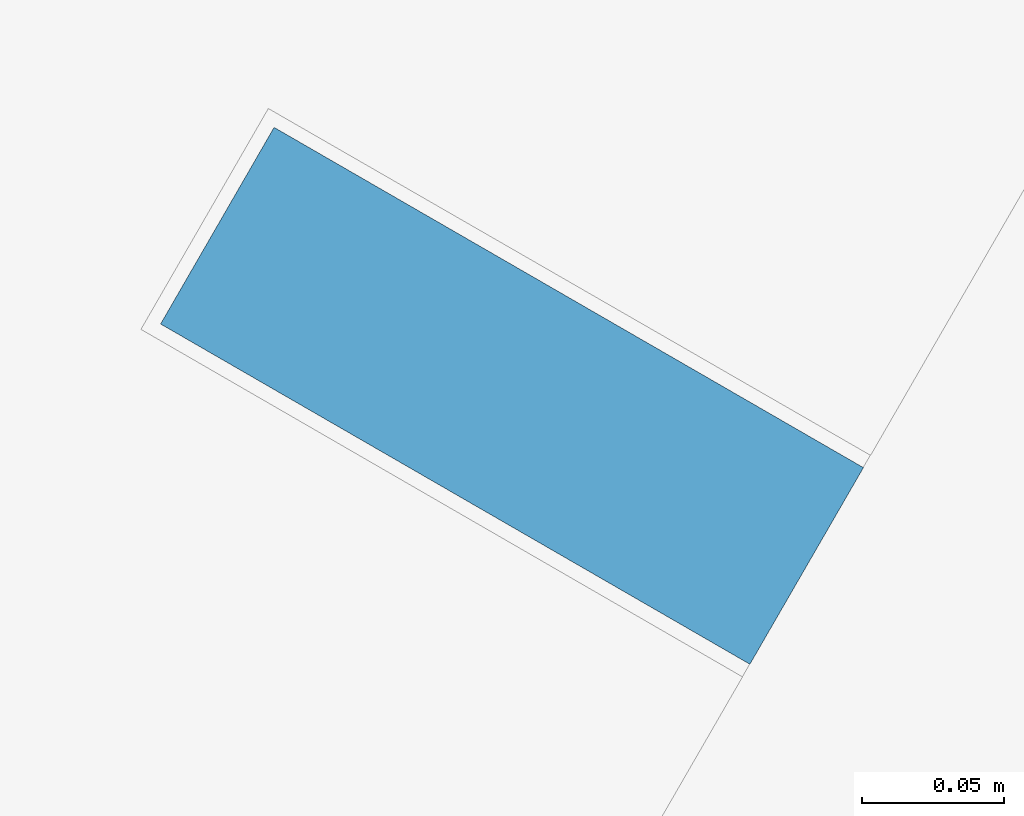
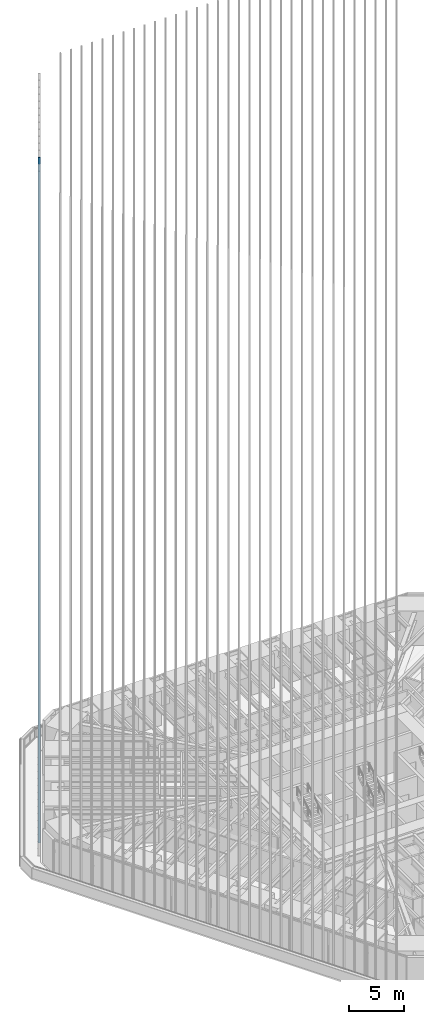
# One storey, part 127 of 238: 1 member, 1 element without a shape of its own.
"""IFC4 building model written with IfcOpenShell, lengths in metres."""

from ifc_helpers import new_model, si_unit, direction, frame, origin, origin_2d, place, context, subcontext, project, spatial, rectangle, extrude, material, material_profile, profile_set, type_object, element, aggregate, save


model = new_model("IFC4")

# Units and contexts
model_context = context("Model", 3, precision=1e-05, world=origin(), true_north=direction((0.0, 1.0)))
body_context = subcontext(model_context, "Body", "Model", "MODEL_VIEW")
ifc_project = project(units=[si_unit("LENGTHUNIT", "METRE"), si_unit("AREAUNIT", "SQUARE_METRE"), si_unit("VOLUMEUNIT", "CUBIC_METRE"), si_unit("PLANEANGLEUNIT", "RADIAN"), si_unit("MASSUNIT", "GRAM", prefix="KILO")], contexts=[model_context])

# Site, building, storey
site_placement = place(None, origin())
site = spatial("IfcSite", under=ifc_project, at=site_placement, CompositionType="ELEMENT")
building_placement = place(site_placement, origin())
building = spatial("IfcBuilding", under=site, at=building_placement, Name="Sandreach Pilgrim Tower", CompositionType="ELEMENT")
storey_placement = place(building_placement, frame((0.0, 0.0, 96.800048828125)))
storey = spatial("IfcBuildingStorey", under=building, at=storey_placement, Name="L23", CompositionType="ELEMENT", Elevation=96.800048828125)

# Curtain wall, member
ifc_material_1 = material(Name="Aluminium framed curtain wall", Category="aluminium")
curtain_wall_type = type_object("IfcCurtainWallType", Name="Hotel tower curtain wall", PredefinedType="NOTDEFINED", material=ifc_material_1)
curtain_wall_placement = place(storey_placement, origin())
curtain_wall = element("IfcCurtainWall", 1, at=curtain_wall_placement, inside=storey, type_object=curtain_wall_type, Name="CW-2 L23 NW", PredefinedType="NOTDEFINED")
ifc_material_2 = material(Name="Extruded terracotta on aluminium core", Category="masonry")
ifc_material_profile = material_profile(ifc_material_2, rectangle(XDim=0.080078125, YDim=0.239990234375, at=origin_2d()), Name="TBW 80X240")
ifc_profile_set = profile_set([ifc_material_profile], Name="Extruded terracotta on aluminium core")
member_type = type_object("IfcMemberType", Name="Terracotta baguette west", PredefinedType="USERDEFINED", material=ifc_profile_set)
member_placement = place(storey_placement, frame((-27.545654296875, 9.513916015625, 0.0), z_axis=(0.0, 0.0, 1.0), x_axis=(0.5, 0.866025403784, 0.0)))
member = element("IfcMember", 2, at=member_placement, type_object=member_type, Name="Baguette Z2 NW03", ObjectType="BAGUETTE", PredefinedType="USERDEFINED", context=body_context, shape_type="SweptSolid", body=[
    extrude(rectangle(XDim=0.080078125, YDim=0.239990234375, at=origin_2d()), origin(), (0.0, 0.0, 1.0), 75.83984375),
])
aggregate(curtain_wall, [member])

save(model, "model.ifc")
